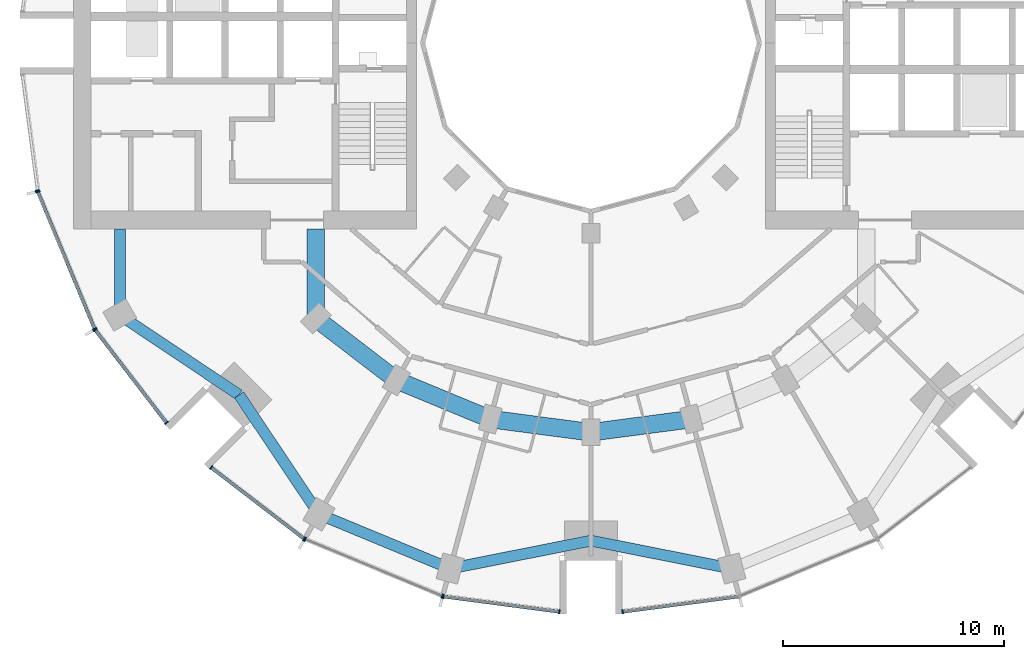
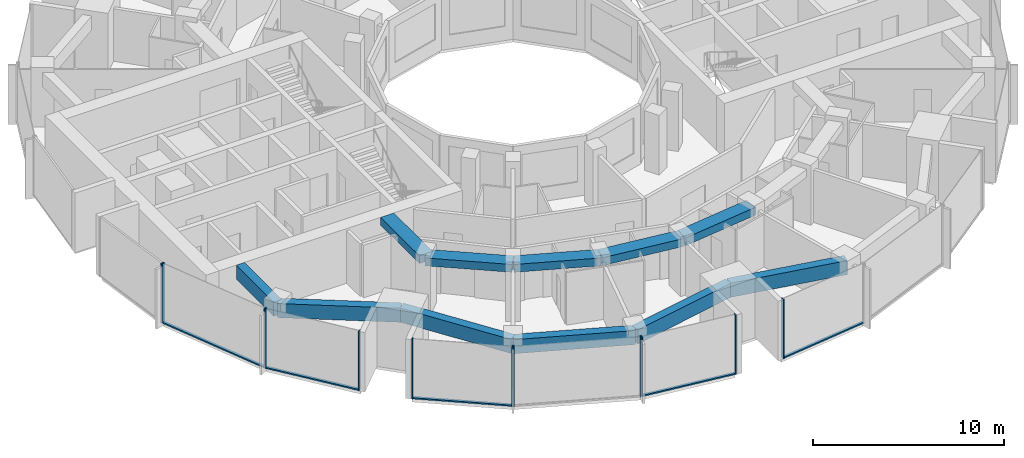
# One storey, part 2 of 15: 17 members, 11 beams, 7 elements without a shape of their own.
"""IFC4 building model written with IfcOpenShell, lengths in metres."""

from ifc_helpers import new_model, si_unit, direction, frame, origin, origin_2d, place, context, subcontext, project, spatial, rectangle, extrude, material, layer, layer_set, material_profile, profile_set, type_object, element, aggregate, save


model = new_model("IFC4")

# Units and contexts
model_context = context("Model", 3, precision=1e-05, world=origin(), true_north=direction((0.0, 1.0)))
body_context = subcontext(model_context, "Body", "Model", "MODEL_VIEW")
ifc_project = project(units=[si_unit("LENGTHUNIT", "METRE"), si_unit("AREAUNIT", "SQUARE_METRE"), si_unit("VOLUMEUNIT", "CUBIC_METRE"), si_unit("PLANEANGLEUNIT", "RADIAN"), si_unit("MASSUNIT", "GRAM", prefix="KILO")], contexts=[model_context])

# Site, building, storey
site_placement = place(None, origin())
site = spatial("IfcSite", under=ifc_project, at=site_placement, CompositionType="ELEMENT")
building_placement = place(site_placement, origin())
building = spatial("IfcBuilding", under=site, at=building_placement, Name="Torre Brocal", CompositionType="ELEMENT")
storey_placement = place(building_placement, frame((0.0, 0.0, 63.0)))
storey = spatial("IfcBuildingStorey", under=building, at=storey_placement, Name="L14", CompositionType="ELEMENT", Elevation=63.0)

# Curtain wall, members
ifc_material_1 = material(Name="Aluminium and glass", Category="aluminium")
ifc_layer_1 = layer(ifc_material_1, 0.199951171875)
ifc_layer_set_1 = layer_set([ifc_layer_1], Name="Aluminium and glass")
curtain_wall_type_1 = type_object("IfcCurtainWallType", Name="CW-1 CURTAIN WALL 3800 HIGH", PredefinedType="NOTDEFINED", material=ifc_layer_set_1)
curtain_wall_1_placement = place(storey_placement, origin())
curtain_wall_1 = element("IfcCurtainWall", 1, at=curtain_wall_1_placement, inside=storey, type_object=curtain_wall_type_1, Name="CW-1 RUN 14", PredefinedType="NOTDEFINED")
ifc_material_2 = material(Name="Aluminium, dark anodised", Category="aluminium")
ifc_material_profile_1 = material_profile(ifc_material_2, rectangle(XDim=0.199951171875, YDim=0.06005859375, at=origin_2d()), Name="CW-1 MULLION 60X200")
ifc_profile_set_1 = profile_set([ifc_material_profile_1], Name="Aluminium, dark anodised")
member_type_1 = type_object("IfcMemberType", Name="CW-1 MULLION 60X200", PredefinedType="MULLION", material=ifc_profile_set_1)
member_1_placement = place(storey_placement, frame((54.994873046875, 68.26904296875, 0.0), z_axis=(0.0, 0.0, 1.0), x_axis=(0.923879532525, 0.382683432333, 0.0)))
member_1 = element("IfcMember", 2, at=member_1_placement, type_object=member_type_1, Name="CW1-1 mullion 1", PredefinedType="MULLION", context=body_context, shape_type="SweptSolid", body=[
    extrude(rectangle(XDim=0.199951171875, YDim=0.06005859375, at=origin_2d()), origin(), (0.0, 0.0, 1.0), 3.800048828125),
])
member_2_placement = place(storey_placement, frame((57.559326171875, 62.078125, 0.0), z_axis=(0.0, 0.0, 1.0), x_axis=(0.923879532525, 0.382683432333, 0.0)))
member_2 = element("IfcMember", 3, at=member_2_placement, type_object=member_type_1, Name="CW1-1 mullion 2", PredefinedType="MULLION", context=body_context, shape_type="SweptSolid", body=[
    extrude(rectangle(XDim=0.199951171875, YDim=0.06005859375, at=origin_2d()), origin(), (0.0, 0.0, 1.0), 3.800048828125),
])

curtain_wall_2_placement = place(storey_placement, origin())
curtain_wall_2 = element("IfcCurtainWall", 4, at=curtain_wall_2_placement, inside=storey, type_object=curtain_wall_type_1, Name="CW-1 RUN 15", PredefinedType="NOTDEFINED")
member_3_placement = place(storey_placement, frame((57.5888671875, 62.026611328125, 0.0), z_axis=(0.0, 0.0, 1.0), x_axis=(0.793353340259, 0.60876142905, 0.0)))
member_3 = element("IfcMember", 5, at=member_3_placement, type_object=member_type_1, Name="CW1-1 mullion 1", PredefinedType="MULLION", context=body_context, shape_type="SweptSolid", body=[
    extrude(rectangle(XDim=0.199951171875, YDim=0.06005859375, at=origin_2d()), origin(), (0.0, 0.0, 1.0), 3.800048828125),
])
member_4_placement = place(storey_placement, frame((60.80859375, 57.83056640625, 0.0), z_axis=(0.0, 0.0, 1.0), x_axis=(0.793353340259, 0.60876142905, 0.0)))
member_4 = element("IfcMember", 6, at=member_4_placement, type_object=member_type_1, Name="CW1-1 mullion 2", PredefinedType="MULLION", context=body_context, shape_type="SweptSolid", body=[
    extrude(rectangle(XDim=0.199951171875, YDim=0.06005859375, at=origin_2d()), origin(), (0.0, 0.0, 1.0), 3.800048828125),
])

curtain_wall_3_placement = place(storey_placement, origin())
curtain_wall_3 = element("IfcCurtainWall", 7, at=curtain_wall_3_placement, inside=storey, type_object=curtain_wall_type_1, Name="CW-1 RUN 16", PredefinedType="NOTDEFINED")
member_5_placement = place(storey_placement, frame((62.83056640625, 55.80859375, 0.0), z_axis=(0.0, 0.0, 1.0), x_axis=(0.60876142905, 0.793353340259, 0.0)))
member_5 = element("IfcMember", 8, at=member_5_placement, type_object=member_type_1, Name="CW1-1 mullion 1", PredefinedType="MULLION", context=body_context, shape_type="SweptSolid", body=[
    extrude(rectangle(XDim=0.199951171875, YDim=0.06005859375, at=origin_2d()), origin(), (0.0, 0.0, 1.0), 3.800048828125),
])
member_6_placement = place(storey_placement, frame((67.026611328125, 52.5888671875, 0.0), z_axis=(0.0, 0.0, 1.0), x_axis=(0.60876142905, 0.793353340259, 0.0)))
member_6 = element("IfcMember", 9, at=member_6_placement, type_object=member_type_1, Name="CW1-1 mullion 2", PredefinedType="MULLION", context=body_context, shape_type="SweptSolid", body=[
    extrude(rectangle(XDim=0.199951171875, YDim=0.06005859375, at=origin_2d()), origin(), (0.0, 0.0, 1.0), 3.800048828125),
])

curtain_wall_4_placement = place(storey_placement, origin())
curtain_wall_4 = element("IfcCurtainWall", 10, at=curtain_wall_4_placement, inside=storey, type_object=curtain_wall_type_1, Name="CW-1 RUN 17", PredefinedType="NOTDEFINED")
member_7_placement = place(storey_placement, frame((67.078125, 52.559326171875, 0.0), z_axis=(0.0, 0.0, 1.0), x_axis=(0.382683432333, 0.923879532525, 0.0)))
member_7 = element("IfcMember", 11, at=member_7_placement, type_object=member_type_1, Name="CW1-1 mullion 1", PredefinedType="MULLION", context=body_context, shape_type="SweptSolid", body=[
    extrude(rectangle(XDim=0.199951171875, YDim=0.06005859375, at=origin_2d()), origin(), (0.0, 0.0, 1.0), 3.800048828125),
])
member_8_placement = place(storey_placement, frame((73.26904296875, 49.994873046875, 0.0), z_axis=(0.0, 0.0, 1.0), x_axis=(0.382683432333, 0.923879532525, 0.0)))
member_8 = element("IfcMember", 12, at=member_8_placement, type_object=member_type_1, Name="CW1-1 mullion 2", PredefinedType="MULLION", context=body_context, shape_type="SweptSolid", body=[
    extrude(rectangle(XDim=0.199951171875, YDim=0.06005859375, at=origin_2d()), origin(), (0.0, 0.0, 1.0), 3.800048828125),
])
aggregate(curtain_wall_4, [member_7, member_8])

curtain_wall_5_placement = place(storey_placement, origin())
curtain_wall_5 = element("IfcCurtainWall", 13, at=curtain_wall_5_placement, inside=storey, type_object=curtain_wall_type_1, Name="CW-1 RUN 18", PredefinedType="NOTDEFINED")
member_9_placement = place(storey_placement, frame((73.32666015625, 49.9794921875, 0.0), z_axis=(0.0, 0.0, 1.0), x_axis=(0.13052619222, 0.991444861374, 0.0)))
member_9 = element("IfcMember", 14, at=member_9_placement, type_object=member_type_1, Name="CW1-1 mullion 1", PredefinedType="MULLION", context=body_context, shape_type="SweptSolid", body=[
    extrude(rectangle(XDim=0.199951171875, YDim=0.06005859375, at=origin_2d()), origin(), (0.0, 0.0, 1.0), 3.800048828125),
])
member_10_placement = place(storey_placement, frame((78.5703125, 49.2890625, 0.0), z_axis=(0.0, 0.0, 1.0), x_axis=(0.13052619222, 0.991444861374, 0.0)))
member_10 = element("IfcMember", 15, at=member_10_placement, type_object=member_type_1, Name="CW1-1 mullion 2", PredefinedType="MULLION", context=body_context, shape_type="SweptSolid", body=[
    extrude(rectangle(XDim=0.199951171875, YDim=0.06005859375, at=origin_2d()), origin(), (0.0, 0.0, 1.0), 3.800048828125),
])

# Curtain wall, member
curtain_wall_6_placement = place(storey_placement, origin())
curtain_wall_6 = element("IfcCurtainWall", 16, at=curtain_wall_6_placement, inside=storey, type_object=curtain_wall_type_1, Name="CW-1 RUN 19", PredefinedType="NOTDEFINED")
member_11_placement = place(storey_placement, frame((81.4296875, 49.2890625, 0.0), z_axis=(0.0, 0.0, 1.0), x_axis=(-0.13052619222, 0.991444861374, 0.0)))
member_11 = element("IfcMember", 17, at=member_11_placement, type_object=member_type_1, Name="CW1-1 mullion 1", PredefinedType="MULLION", context=body_context, shape_type="SweptSolid", body=[
    extrude(rectangle(XDim=0.199951171875, YDim=0.06005859375, at=origin_2d()), origin(), (0.0, 0.0, 1.0), 3.800048828125),
])

# Member
ifc_material_3 = material(Name="Aluminium, dark anodised", Category="aluminium")
ifc_material_profile_2 = material_profile(ifc_material_3, rectangle(XDim=0.159912109375, YDim=0.080078125, at=origin_2d()), Name="CW-1 TRANSOM 160X80")
ifc_profile_set_2 = profile_set([ifc_material_profile_2], Name="Aluminium, dark anodised")
member_type_2 = type_object("IfcMemberType", Name="CW-1 TRANSOM 160X80", PredefinedType="USERDEFINED", material=ifc_profile_set_2)
member_12_placement = place(storey_placement, frame((55.00634765625, 68.241455078125, 0.0400390625), z_axis=(0.38266457234, -0.923887344364, 0.0), x_axis=(0.923887344364, 0.38266457234, 0.0)))
member_12 = element("IfcMember", 18, at=member_12_placement, type_object=member_type_2, Name="CW1-1 transom 1.1", ObjectType="TRANSOM", PredefinedType="USERDEFINED", context=body_context, shape_type="SweptSolid", body=[
    extrude(rectangle(XDim=0.159912109375, YDim=0.080078125, at=origin_2d()), origin(), (0.0, 0.0, 1.0), 6.640869140625),
])

aggregate(curtain_wall_1, [member_1, member_2, member_12])

member_13_placement = place(storey_placement, frame((57.607177734375, 62.0029296875, 0.0400390625), z_axis=(0.60874908096, -0.79336281513, 0.0), x_axis=(0.79336281513, 0.60874908096, 0.0)))
member_13 = element("IfcMember", 19, at=member_13_placement, type_object=member_type_2, Name="CW1-1 transom 1.1", ObjectType="TRANSOM", PredefinedType="USERDEFINED", context=body_context, shape_type="SweptSolid", body=[
    extrude(rectangle(XDim=0.159912109375, YDim=0.080078125, at=origin_2d()), origin(), (0.0, 0.0, 1.0), 5.22900390625),
])

aggregate(curtain_wall_2, [member_3, member_4, member_13])

member_14_placement = place(storey_placement, frame((62.8544921875, 55.790283203125, 0.0400390625), z_axis=(0.79336281513, -0.60874908096, 0.0), x_axis=(0.60874908096, 0.79336281513, 0.0)))
member_14 = element("IfcMember", 20, at=member_14_placement, type_object=member_type_2, Name="CW1-1 transom 1.1", ObjectType="TRANSOM", PredefinedType="USERDEFINED", context=body_context, shape_type="SweptSolid", body=[
    extrude(rectangle(XDim=0.159912109375, YDim=0.080078125, at=origin_2d()), origin(), (0.0, 0.0, 1.0), 5.22900390625),
])

aggregate(curtain_wall_3, [member_5, member_6, member_14])

member_15_placement = place(storey_placement, frame((73.356201171875, 49.9755859375, 0.0400390625), z_axis=(0.991442690863, -0.130542677827, 0.0), x_axis=(0.130542677827, 0.991442690863, 0.0)))
member_15 = element("IfcMember", 21, at=member_15_placement, type_object=member_type_2, Name="CW1-1 transom 1.1", ObjectType="TRANSOM", PredefinedType="USERDEFINED", context=body_context, shape_type="SweptSolid", body=[
    extrude(rectangle(XDim=0.159912109375, YDim=0.080078125, at=origin_2d()), origin(), (0.0, 0.0, 1.0), 5.22900390625),
])

aggregate(curtain_wall_5, [member_9, member_10, member_15])

member_16_placement = place(storey_placement, frame((81.45947265625, 49.29296875, 0.0400390625), z_axis=(0.991442690863, 0.130542677827, 0.0), x_axis=(-0.130542677827, 0.991442690863, 0.0)))
member_16 = element("IfcMember", 22, at=member_16_placement, type_object=member_type_2, Name="CW1-1 transom 1.1", ObjectType="TRANSOM", PredefinedType="USERDEFINED", context=body_context, shape_type="SweptSolid", body=[
    extrude(rectangle(XDim=0.159912109375, YDim=0.080078125, at=origin_2d()), origin(), (0.0, 0.0, 1.0), 5.22900390625),
])

aggregate(curtain_wall_6, [member_11, member_16])

# Curtain wall, member
ifc_material_4 = material(Name="Aluminium and glass", Category="aluminium")
ifc_layer_2 = layer(ifc_material_4, 0.199951171875)
ifc_layer_set_2 = layer_set([ifc_layer_2], Name="Aluminium and glass")
curtain_wall_type_2 = type_object("IfcCurtainWallType", Name="CW-1B CURTAIN WALL 3800 HIGH", PredefinedType="NOTDEFINED", material=ifc_layer_set_2)
curtain_wall_7_placement = place(storey_placement, origin())
curtain_wall_7 = element("IfcCurtainWall", 23, at=curtain_wall_7_placement, inside=storey, type_object=curtain_wall_type_2, Name="CW-1B RUN 13", PredefinedType="NOTDEFINED")
ifc_material_5 = material(Name="Aluminium, dark anodised", Category="aluminium")
ifc_material_profile_3 = material_profile(ifc_material_5, rectangle(XDim=0.199951171875, YDim=0.06005859375, at=origin_2d()), Name="CW-1B MULLION 60X200")
ifc_profile_set_3 = profile_set([ifc_material_profile_3], Name="Aluminium, dark anodised")
member_type_3 = type_object("IfcMemberType", Name="CW-1B MULLION 60X200", PredefinedType="MULLION", material=ifc_profile_set_3)
member_17_placement = place(storey_placement, frame((54.9794921875, 68.32666015625, 0.0), z_axis=(0.0, 0.0, 1.0), x_axis=(0.991444861374, 0.13052619222, 0.0)))
member_17 = element("IfcMember", 24, at=member_17_placement, type_object=member_type_3, Name="CW1B-1 mullion 2", PredefinedType="MULLION", context=body_context, shape_type="SweptSolid", body=[
    extrude(rectangle(XDim=0.199951171875, YDim=0.06005859375, at=origin_2d()), origin(), (0.0, 0.0, 1.0), 3.800048828125),
])
aggregate(curtain_wall_7, [member_17])

# Beams
ifc_material_6 = material(Name="Concrete C50", Category="concrete")
ifc_material_profile_4 = material_profile(ifc_material_6, rectangle(XDim=0.800048828125, YDim=0.5, at=origin_2d()), Name="RC 800X500")
ifc_profile_set_4 = profile_set([ifc_material_profile_4], Name="Concrete C50")
beam_type_1 = type_object("IfcBeamType", Name="RC BEAM 800X500 C50 TOP 3480", PredefinedType="BEAM", material=ifc_profile_set_4)
beam_1_placement = place(storey_placement, frame((67.554931640625, 62.554931640625, 3.22998046875), z_axis=(0.0, 1.0, 0.0), x_axis=(-1.0, 0.0, 0.0)))
element("IfcBeam", 25, at=beam_1_placement, inside=storey, type_object=beam_type_1, Name="Beam BT-19", PredefinedType="BEAM", context=body_context, shape_type="SweptSolid", body=[
    extrude(rectangle(XDim=0.800048828125, YDim=0.5, at=origin_2d()), origin(), (0.0, 0.0, 1.0), 4.045166015625),
])
beam_2_placement = place(storey_placement, frame((67.554931640625, 62.554931640625, 3.22998046875), z_axis=(0.793358265959, -0.6087550097, 0.0), x_axis=(0.6087550097, 0.793358265959, 0.0)))
element("IfcBeam", 26, at=beam_2_placement, inside=storey, type_object=beam_type_1, Name="Beam BT-19", PredefinedType="BEAM", context=body_context, shape_type="SweptSolid", body=[
    extrude(rectangle(XDim=0.800048828125, YDim=0.5, at=origin_2d()), origin(), (0.0, 0.0, 1.0), 4.594482421875),
])
beam_3_placement = place(storey_placement, frame((71.199951171875, 59.758056640625, 3.22998046875), z_axis=(0.923878240166, -0.382686552348, 0.0), x_axis=(0.382686552348, 0.923878240166, 0.0)))
element("IfcBeam", 27, at=beam_3_placement, inside=storey, type_object=beam_type_1, Name="Beam BT-19", PredefinedType="BEAM", context=body_context, shape_type="SweptSolid", body=[
    extrude(rectangle(XDim=0.800048828125, YDim=0.5, at=origin_2d()), origin(), (0.0, 0.0, 1.0), 4.5947265625),
])
for number, where, z_axis, x_axis, name in (
    (28, (75.44482421875, 57.999755859375, 3.22998046875), (0.991440544449, -0.130558978332, 0.0), (0.130558978332, 0.991440544449, 0.0), "Beam BT-19"),
    (29, (80.0, 57.39990234375, 3.22998046875), (0.991440544449, 0.130558978332, 0.0), (-0.130558978332, 0.991440544449, 0.0), "Beam BT-19"),
):
    element("IfcBeam", number, at=place(storey_placement, frame(where, z_axis=z_axis, x_axis=x_axis)), inside=storey, type_object=beam_type_1, Name=name, PredefinedType="BEAM", context=body_context, shape_type="SweptSolid", body=[
        extrude(rectangle(XDim=0.800048828125, YDim=0.5, at=origin_2d()), origin(), (0.0, 0.0, 1.0), 4.594482421875),
    ])
ifc_material_7 = material(Name="Concrete C50", Category="concrete")
ifc_material_profile_5 = material_profile(ifc_material_7, rectangle(XDim=0.5, YDim=0.89990234375, at=origin_2d()), Name="RC 500X900")
ifc_profile_set_5 = profile_set([ifc_material_profile_5], Name="Concrete C50")
beam_type_2 = type_object("IfcBeamType", Name="RC SPANDREL BEAM 500X900 C50 TOP 3480", PredefinedType="SPANDREL", material=ifc_profile_set_5)
beam_4_placement = place(storey_placement, frame((58.69580078125, 62.699951171875, 3.030029296875), z_axis=(0.0, 1.0, 0.0), x_axis=(-1.0, 0.0, 0.0)))
element("IfcBeam", 30, at=beam_4_placement, inside=storey, type_object=beam_type_2, Name="Beam BT-20", PredefinedType="SPANDREL", context=body_context, shape_type="SweptSolid", body=[
    extrude(rectangle(XDim=0.5, YDim=0.89990234375, at=origin_2d()), origin(), (0.0, 0.0, 1.0), 3.900146484375),
])
for number, where, z_axis, x_axis, name in (
    (31, (58.69580078125, 62.699951171875, 3.030029296875), (0.831076844476, -0.556157602282, 0.0), (0.556157602282, 0.831076844476, 0.0), "Beam BT-20"),
    (32, (64.090087890625, 59.090087890625, 3.030029296875), (0.556157602282, -0.831076844476, 0.0), (0.831076844476, 0.556157602282, 0.0), "Beam BT-20"),
):
    element("IfcBeam", number, at=place(storey_placement, frame(where, z_axis=z_axis, x_axis=x_axis)), inside=storey, type_object=beam_type_2, Name=name, PredefinedType="SPANDREL", context=body_context, shape_type="SweptSolid", body=[
        extrude(rectangle(XDim=0.5, YDim=0.89990234375, at=origin_2d()), origin(), (0.0, 0.0, 1.0), 6.49072265625),
    ])
beam_5_placement = place(storey_placement, frame((67.699951171875, 53.69580078125, 3.030029296875), z_axis=(0.923882462513, -0.382676358639, 0.0), x_axis=(0.382676358639, 0.923882462513, 0.0)))
element("IfcBeam", 33, at=beam_5_placement, inside=storey, type_object=beam_type_2, Name="Beam BT-20", PredefinedType="SPANDREL", context=body_context, shape_type="SweptSolid", body=[
    extrude(rectangle(XDim=0.5, YDim=0.89990234375, at=origin_2d()), origin(), (0.0, 0.0, 1.0), 6.421875),
])
for number, where, z_axis, x_axis, name in (
    (34, (73.633056640625, 51.23828125, 3.030029296875), (0.980924907484, 0.194387051723, 0.0), (-0.194387051723, 0.980924907484, 0.0), "Beam BT-20"),
    (35, (80.0, 52.5, 3.030029296875), (0.980924907484, -0.194387051723, 0.0), (0.194387051723, 0.980924907484, 0.0), "Beam BT-20"),
):
    element("IfcBeam", number, at=place(storey_placement, frame(where, z_axis=z_axis, x_axis=x_axis)), inside=storey, type_object=beam_type_2, Name=name, PredefinedType="SPANDREL", context=body_context, shape_type="SweptSolid", body=[
        extrude(rectangle(XDim=0.5, YDim=0.89990234375, at=origin_2d()), origin(), (0.0, 0.0, 1.0), 6.49072265625),
    ])

save(model, "model.ifc")
